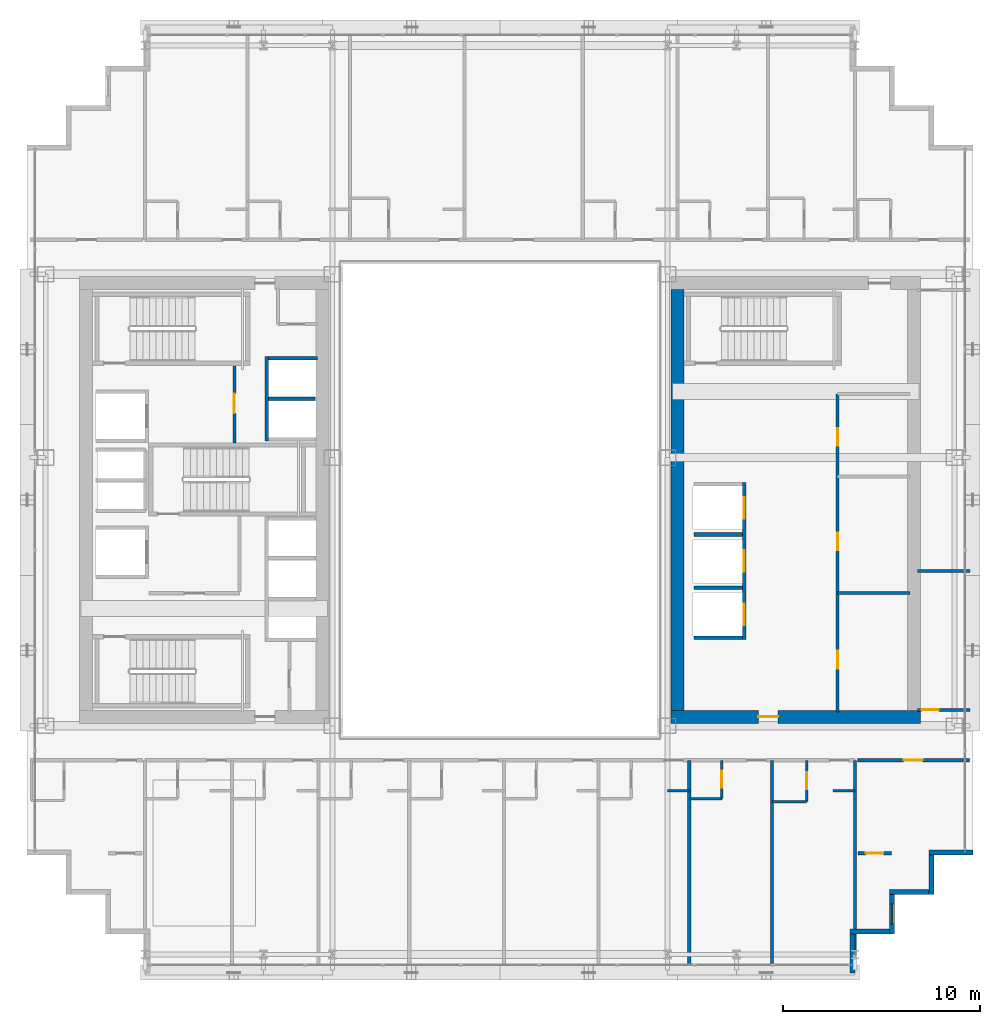
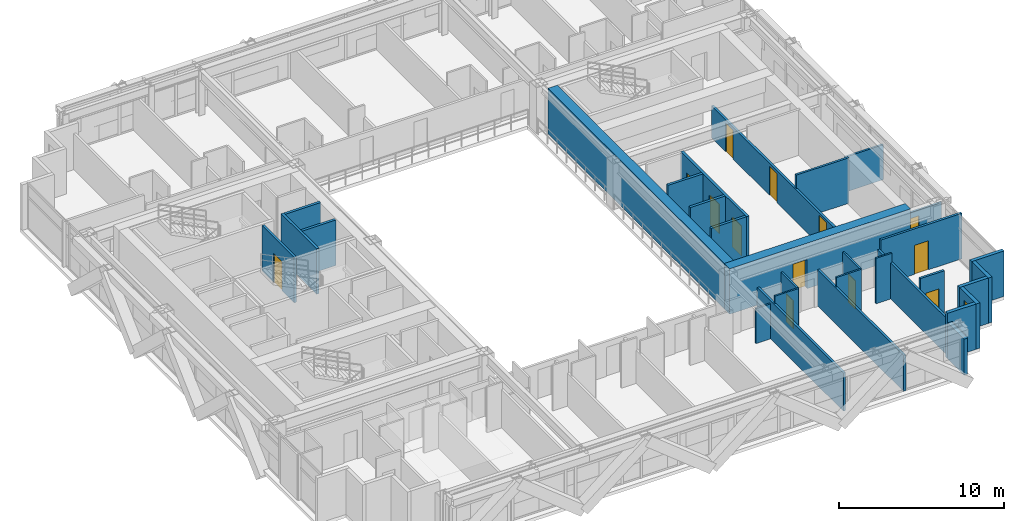
# One storey, part 29 of 36: 31 walls, 13 doors, 1 window, 14 openings.
"""IFC4 building model written with IfcOpenShell, lengths in metres."""

from ifc_helpers import new_model, si_unit, direction, frame, frame_2d, origin, place, context, subcontext, project, spatial, rectangle, extrude, source, transform, mapped, material, layer, layer_set, type_object, element, fill, save


model = new_model("IFC4")

# Units and contexts
model_context = context("Model", 3, precision=1e-05, world=origin(), true_north=direction((0.0, 1.0)))
body_context = subcontext(model_context, "Body", "Model", "MODEL_VIEW")
ifc_project = project(units=[si_unit("LENGTHUNIT", "METRE"), si_unit("AREAUNIT", "SQUARE_METRE"), si_unit("VOLUMEUNIT", "CUBIC_METRE"), si_unit("PLANEANGLEUNIT", "RADIAN"), si_unit("MASSUNIT", "GRAM", prefix="KILO")], contexts=[model_context])

# Site, building, storey
site_placement = place(None, origin())
site = spatial("IfcSite", under=ifc_project, at=site_placement, CompositionType="ELEMENT")
building_placement = place(site_placement, origin())
building = spatial("IfcBuilding", under=site, at=building_placement, Name="Ocotamira Hotel", CompositionType="ELEMENT")
storey_placement = place(building_placement, frame((0.0, 0.0, 97.199951171875)))
storey = spatial("IfcBuildingStorey", under=building, at=storey_placement, Name="L23", CompositionType="ELEMENT", Elevation=97.199951171875)

# Wall, opening, door
ifc_material_1 = material(Name="Concrete C60/75", Category="concrete")
ifc_layer_1 = layer(ifc_material_1, 0.64990234375)
ifc_layer_set_1 = layer_set([ifc_layer_1], Name="Concrete C60/75")
wall_type_1 = type_object("IfcWallType", Name="WL-CORE-650", PredefinedType="SHEAR", material=ifc_layer_set_1)
wall_1_placement = place(storey_placement, frame((40.675048828125, 15.0, 0.0), z_axis=(0.0, 0.0, 1.0), x_axis=(1.0, 0.0, 0.0)))
wall_1 = element("IfcWall", 1, at=wall_1_placement, inside=storey, type_object=wall_type_1, Name="L23 Shear Core Wall ECORE-S", PredefinedType="SHEAR", context=body_context, shape_type="SweptSolid", body=[
    extrude(rectangle(XDim=12.64990234375, YDim=0.64990234375, at=frame_2d((6.324951171875, 0.0))), origin(), (0.0, 0.0, 1.0), 3.360107421875),
])
opening_1_placement = place(wall_1_placement, frame((4.425048828125, 0.0, 0.0)))
opening_1 = element("IfcOpeningElement", 2, at=opening_1_placement, cuts=wall_1, Name="Opening D-FR2", PredefinedType="OPENING", context=body_context, shape_type="SweptSolid", body=[
    extrude(rectangle(XDim=1.0, YDim=2.14990234375, at=frame_2d((0.5, 1.074951171875))), frame((0.0, 0.3349609375, 0.0), z_axis=(0.0, -1.0, 0.0), x_axis=(1.0, 0.0, 0.0)), (0.0, 0.0, 1.0), 0.669921875),
])
ifc_material_2 = material(Name="Fire-rated acoustic timber-veneer door", Category="wood")
door_type_1 = type_object("IfcDoorType", Name="DR-FIRE-1000", OperationType="NOTDEFINED", PredefinedType="DOOR", material=ifc_material_2)
shared_shape_1 = source(origin(), body_context, "Body", "SweptSolid", [
    extrude(rectangle(XDim=1.0, YDim=2.14990234375, at=frame_2d((0.5, 1.074951171875))), frame((0.0, 0.02490234375, 0.0), z_axis=(0.0, -1.0, 0.0), x_axis=(1.0, 0.0, 0.0)), (0.0, 0.0, 1.0), 0.050048828125),
])
door_1_placement = place(opening_1_placement, origin())
door_1 = element("IfcDoor", 3, at=door_1_placement, inside=storey, type_object=door_type_1, Name="L23 Door ID-L23-ELOB-S-D [ID-L23-ELOB-S-D]", OperationType="SINGLE_SWING_RIGHT", OverallHeight=2.14990234375, OverallWidth=1.0, PredefinedType="DOOR", context=body_context, shape_type="MappedRepresentation", body=[
    mapped(shared_shape_1, transform((0.0, 0.0, 0.0), scale=1.0)),
])
fill(opening_1, door_1)

# Walls
wall_2_placement = place(storey_placement, frame((41.0, 15.324951171875, 0.0), z_axis=(0.0, 0.0, 1.0), x_axis=(0.0, 1.0, 0.0)))
element("IfcWall", 4, at=wall_2_placement, inside=storey, type_object=wall_type_1, Name="L23 Shear Core Wall ECORE-W", PredefinedType="SHEAR", context=body_context, shape_type="SweptSolid", body=[
    extrude(rectangle(XDim=21.35009765625, YDim=0.64990234375, at=frame_2d((10.675048828125, 0.0))), origin(), (0.0, 0.0, 1.0), 3.360107421875),
])
ifc_material_3 = material(Name="Precast concrete C45/55", Category="concrete")
ifc_layer_2 = layer(ifc_material_3, 0.25)
ifc_layer_set_2 = layer_set([ifc_layer_2], Name="Precast concrete C45/55")
wall_type_2 = type_object("IfcWallType", Name="WL-EXT-SER-250", PredefinedType="SOLIDWALL", material=ifc_layer_set_2)
wall_3_placement = place(storey_placement, frame((49.875, 2.0, 0.0), z_axis=(0.0, 0.0, 1.0), x_axis=(0.0, 1.0, 0.0)))
element("IfcWall", 5, at=wall_3_placement, inside=storey, type_object=wall_type_2, Name="L23 Serrated Corner Wall 01", PredefinedType="SOLIDWALL", context=body_context, shape_type="SweptSolid", body=[
    extrude(rectangle(XDim=2.0, YDim=0.25, at=frame_2d((1.0, 0.0))), origin(), (0.0, 0.0, 1.0), 2.6669921875),
])
wall_4_placement = place(storey_placement, frame((49.75, 4.125, 0.0), z_axis=(0.0, 0.0, 1.0), x_axis=(1.0, 0.0, 0.0)))
element("IfcWall", 6, at=wall_4_placement, inside=storey, type_object=wall_type_2, Name="L23 Serrated Corner Wall 02", PredefinedType="SOLIDWALL", context=body_context, shape_type="SweptSolid", body=[
    extrude(rectangle(XDim=2.0, YDim=0.25, at=frame_2d((1.0, 0.0))), origin(), (0.0, 0.0, 1.0), 3.360107421875),
])

# Wall, opening, window
wall_5_placement = place(storey_placement, frame((51.875, 4.0, 0.0), z_axis=(0.0, 0.0, 1.0), x_axis=(0.0, 1.0, 0.0)))
wall_5 = element("IfcWall", 7, at=wall_5_placement, inside=storey, type_object=wall_type_2, Name="L23 Serrated Corner Wall 03", PredefinedType="SOLIDWALL", context=body_context, shape_type="SweptSolid", body=[
    extrude(rectangle(XDim=2.0, YDim=0.25, at=frame_2d((1.0, 0.0))), origin(), (0.0, 0.0, 1.0), 3.360107421875),
])
opening_2_placement = place(wall_5_placement, frame((0.5, 0.0, 0.85009765625)))
opening_2 = element("IfcOpeningElement", 8, at=opening_2_placement, cuts=wall_5, Name="Opening WN-2", PredefinedType="OPENING", context=body_context, shape_type="SweptSolid", body=[
    extrude(rectangle(XDim=1.0, YDim=1.89990234375, at=frame_2d((0.5, 0.949951171875))), frame((0.0, 0.135009765625, 0.0), z_axis=(0.0, -1.0, 0.0), x_axis=(1.0, 0.0, 0.0)), (0.0, 0.0, 1.0), 0.27001953125),
])
ifc_material_4 = material(Name="Double-silver low-E solar glass", Category="glass")
window_type = type_object("IfcWindowType", Name="WIN-SER-1100", PartitioningType="SINGLE_PANEL", PredefinedType="WINDOW", material=ifc_material_4)
shared_shape_2 = source(origin(), body_context, "Body", "SweptSolid", [
    extrude(rectangle(XDim=1.0, YDim=1.89990234375, at=frame_2d((0.5, 0.949951171875))), frame((0.0, 0.030029296875, 0.0), z_axis=(0.0, -1.0, 0.0), x_axis=(1.0, 0.0, 0.0)), (0.0, 0.0, 1.0), 0.06005859375),
])
window_placement = place(opening_2_placement, origin())
window = element("IfcWindow", 9, at=window_placement, inside=storey, type_object=window_type, Name="L23 Serrated Corner Window 03", OverallHeight=1.89990234375, OverallWidth=1.0, PartitioningType="SINGLE_PANEL", PredefinedType="WINDOW", context=body_context, shape_type="MappedRepresentation", body=[
    mapped(shared_shape_2, transform((0.0, 0.0, 0.0), scale=1.0)),
])
fill(opening_2, window)

# Walls
for number, where, z_axis, x_axis, name in (
    (10, (51.75, 6.125, 0.0), (0.0, 0.0, 1.0), (1.0, 0.0, 0.0), "L23 Serrated Corner Wall 04"),
    (11, (53.875, 6.0, 0.0), (0.0, 0.0, 1.0), (0.0, 1.0, 0.0), "L23 Serrated Corner Wall 05"),
):
    element("IfcWall", number, at=place(storey_placement, frame(where, z_axis=z_axis, x_axis=x_axis)), inside=storey, type_object=wall_type_2, Name=name, PredefinedType="SOLIDWALL", context=body_context, shape_type="SweptSolid", body=[
        extrude(rectangle(XDim=2.0, YDim=0.25, at=frame_2d((1.0, 0.0))), origin(), (0.0, 0.0, 1.0), 3.360107421875),
    ])
wall_6_placement = place(storey_placement, frame((53.75, 8.125, 0.0), z_axis=(0.0, 0.0, 1.0), x_axis=(1.0, 0.0, 0.0)))
element("IfcWall", 12, at=wall_6_placement, inside=storey, type_object=wall_type_2, Name="L23 Serrated Corner Wall 06", PredefinedType="SOLIDWALL", context=body_context, shape_type="SweptSolid", body=[
    extrude(rectangle(XDim=2.25, YDim=0.25, at=frame_2d((1.125, 0.0))), origin(), (0.0, 0.0, 1.0), 3.360107421875),
])

# Wall, opening, door
ifc_material_5 = material(Name="Acoustic double-layer fire gypsum board partition", Category="gypsum")
ifc_layer_3 = layer(ifc_material_5, 0.159912109375)
ifc_layer_set_3 = layer_set([ifc_layer_3], Name="Acoustic double-layer fire gypsum board partition")
wall_type_3 = type_object("IfcWallType", Name="WL-FIRE-160", PredefinedType="PARTITIONING", material=ifc_layer_set_3)
wall_7_placement = place(storey_placement, frame((18.530029296875, 28.89990234375, 0.0), z_axis=(0.0, 0.0, 1.0), x_axis=(0.0, 1.0, 0.0)))
wall_7 = element("IfcWall", 13, at=wall_7_placement, inside=storey, type_object=wall_type_3, Name="L23 Interior Wall PW-L23-FSAE2-E", PredefinedType="PARTITIONING", context=body_context, shape_type="SweptSolid", body=[
    extrude(rectangle(XDim=3.900146484375, YDim=0.159912109375, at=frame_2d((1.9501953125, 0.0))), origin(), (0.0, 0.0, 1.0), 3.360107421875),
])
opening_3_placement = place(wall_7_placement, frame((1.5, 0.0, 0.0)))
opening_3 = element("IfcOpeningElement", 14, at=opening_3_placement, cuts=wall_7, Name="Opening D-FR2", PredefinedType="OPENING", context=body_context, shape_type="SweptSolid", body=[
    extrude(rectangle(XDim=1.0, YDim=2.14990234375, at=frame_2d((0.5, 1.074951171875))), frame((0.0, 0.08984375, 0.0), z_axis=(0.0, -1.0, 0.0), x_axis=(1.0, 0.0, 0.0)), (0.0, 0.0, 1.0), 0.179931640625),
])
door_2_placement = place(opening_3_placement, origin())
door_2 = element("IfcDoor", 15, at=door_2_placement, inside=storey, type_object=door_type_1, Name="L23 Door ID-L23-FSAE2-D [ID-L23-FSAE2-D]", OperationType="SINGLE_SWING_RIGHT", OverallHeight=2.14990234375, OverallWidth=1.0, PredefinedType="DOOR", context=body_context, shape_type="MappedRepresentation", body=[
    mapped(shared_shape_1, transform((0.0, 0.0, 0.0), scale=1.0)),
])
fill(opening_3, door_2)

# Wall, openings, doors
wall_8_placement = place(storey_placement, frame((49.1201171875, 15.25, 0.0), z_axis=(0.0, 0.0, 1.0), x_axis=(0.0, 1.0, 0.0)))
wall_8 = element("IfcWall", 16, at=wall_8_placement, inside=storey, type_object=wall_type_3, Name="L23 Interior Wall PW-L23-EC-FLOW-W", PredefinedType="PARTITIONING", context=body_context, shape_type="SweptSolid", body=[
    extrude(rectangle(XDim=16.1298828125, YDim=0.159912109375, at=frame_2d((8.06494140625, 0.0))), origin(), (0.0, 0.0, 1.0), 2.360107421875),
])
opening_4_placement = place(wall_8_placement, frame((2.199951171875, 0.0, 0.0)))
opening_4 = element("IfcOpeningElement", 17, at=opening_4_placement, cuts=wall_8, Name="Opening D-IN3", PredefinedType="OPENING", context=body_context, shape_type="SweptSolid", body=[
    extrude(rectangle(XDim=0.89990234375, YDim=2.14990234375, at=frame_2d((0.449951171875, 1.074951171875))), frame((0.0, 0.08984375, 0.0), z_axis=(0.0, -1.0, 0.0), x_axis=(1.0, 0.0, 0.0)), (0.0, 0.0, 1.0), 0.179931640625),
])
opening_5_placement = place(wall_8_placement, frame((8.199951171875, 0.0, 0.0)))
opening_5 = element("IfcOpeningElement", 18, at=opening_5_placement, cuts=wall_8, Name="Opening D-IN3", PredefinedType="OPENING", context=body_context, shape_type="SweptSolid", body=[
    extrude(rectangle(XDim=0.89990234375, YDim=2.14990234375, at=frame_2d((0.449951171875, 1.074951171875))), frame((0.0, 0.08984375, 0.0), z_axis=(0.0, -1.0, 0.0), x_axis=(1.0, 0.0, 0.0)), (0.0, 0.0, 1.0), 0.179931640625),
])
opening_6_placement = place(wall_8_placement, frame((13.5, 0.0, 0.0)))
opening_6 = element("IfcOpeningElement", 19, at=opening_6_placement, cuts=wall_8, Name="Opening D-IN3", PredefinedType="OPENING", context=body_context, shape_type="SweptSolid", body=[
    extrude(rectangle(XDim=0.89990234375, YDim=2.14990234375, at=frame_2d((0.449951171875, 1.074951171875))), frame((0.0, 0.08984375, 0.0), z_axis=(0.0, -1.0, 0.0), x_axis=(1.0, 0.0, 0.0)), (0.0, 0.0, 1.0), 0.179931640625),
])
ifc_material_6 = material(Name="Painted service room door", Category="steel")
door_type_2 = type_object("IfcDoorType", Name="DR-INT-900", OperationType="NOTDEFINED", PredefinedType="DOOR", material=ifc_material_6)
shared_shape_3 = source(origin(), body_context, "Body", "SweptSolid", [
    extrude(rectangle(XDim=0.89990234375, YDim=2.14990234375, at=frame_2d((0.449951171875, 1.074951171875))), frame((0.0, 0.02490234375, 0.0), z_axis=(0.0, -1.0, 0.0), x_axis=(1.0, 0.0, 0.0)), (0.0, 0.0, 1.0), 0.050048828125),
])
door_3_placement = place(opening_4_placement, origin())
door_3 = element("IfcDoor", 20, at=door_3_placement, inside=storey, type_object=door_type_2, Name="L23 Door ID-L23-EC-FLOW-D1 [ID-L23-EC-FLOW-D1]", OperationType="SINGLE_SWING_LEFT", OverallHeight=2.14990234375, OverallWidth=0.89990234375, PredefinedType="DOOR", context=body_context, shape_type="MappedRepresentation", body=[
    mapped(shared_shape_3, transform((0.0, 0.0, 0.0), scale=1.0)),
])
fill(opening_4, door_3)
door_4_placement = place(opening_5_placement, origin())
door_4 = element("IfcDoor", 21, at=door_4_placement, inside=storey, type_object=door_type_2, Name="L23 Door ID-L23-EC-FLOW-D2 [ID-L23-EC-FLOW-D2]", OperationType="SINGLE_SWING_RIGHT", OverallHeight=2.14990234375, OverallWidth=0.89990234375, PredefinedType="DOOR", context=body_context, shape_type="MappedRepresentation", body=[
    mapped(shared_shape_3, transform((0.0, 0.0, 0.0), scale=1.0)),
])
fill(opening_5, door_4)
door_5_placement = place(opening_6_placement, origin())
door_5 = element("IfcDoor", 22, at=door_5_placement, inside=storey, type_object=door_type_2, Name="L23 Door ID-L23-EC-FLOW-D3 [ID-L23-EC-FLOW-D3]", OperationType="SINGLE_SWING_LEFT", OverallHeight=2.14990234375, OverallWidth=0.89990234375, PredefinedType="DOOR", context=body_context, shape_type="MappedRepresentation", body=[
    mapped(shared_shape_3, transform((0.0, 0.0, 0.0), scale=1.0)),
])
fill(opening_6, door_5)

# Wall, opening, door
wall_9_placement = place(storey_placement, frame((50.1201171875, 12.800048828125, 0.0), z_axis=(0.0, 0.0, 1.0), x_axis=(1.0, 0.0, 0.0)))
wall_9 = element("IfcWall", 23, at=wall_9_placement, inside=storey, type_object=wall_type_3, Name="L23 Interior Wall PW-L23-Z2A-CSE-CW", PredefinedType="PARTITIONING", context=body_context, shape_type="SweptSolid", body=[
    extrude(rectangle(XDim=5.679931640625, YDim=0.159912109375, at=frame_2d((2.83984375, 0.0))), origin(), (0.0, 0.0, 1.0), 3.360107421875),
])
opening_7_placement = place(wall_9_placement, frame((2.360107421875, 0.0, 0.0)))
opening_7 = element("IfcOpeningElement", 24, at=opening_7_placement, cuts=wall_9, Name="Opening D-SV4", PredefinedType="OPENING", context=body_context, shape_type="SweptSolid", body=[
    extrude(rectangle(XDim=0.9599609375, YDim=2.14990234375, at=frame_2d((0.47998046875, 1.074951171875))), frame((0.0, 0.08984375, 0.0), z_axis=(0.0, -1.0, 0.0), x_axis=(1.0, 0.0, 0.0)), (0.0, 0.0, 1.0), 0.179931640625),
])
ifc_material_7 = material(Name="Fire-rated accessible walnut salon door", Category="wood")
door_type_3 = type_object("IfcDoorType", Name="DR-SERV-960", OperationType="NOTDEFINED", PredefinedType="DOOR", material=ifc_material_7)
shared_shape_4 = source(origin(), body_context, "Body", "SweptSolid", [
    extrude(rectangle(XDim=0.9599609375, YDim=2.14990234375, at=frame_2d((0.47998046875, 1.074951171875))), frame((0.0, 0.02490234375, 0.0), z_axis=(0.0, -1.0, 0.0), x_axis=(1.0, 0.0, 0.0)), (0.0, 0.0, 1.0), 0.050048828125),
])
door_6_placement = place(opening_7_placement, origin())
door_6 = element("IfcDoor", 25, at=door_6_placement, inside=storey, type_object=door_type_3, Name="L23 Door ID-L23-Z2A-CSE-CD [ID-L23-Z2A-CSE-CD]", OperationType="SINGLE_SWING_LEFT", OverallHeight=2.14990234375, OverallWidth=0.9599609375, PredefinedType="DOOR", context=body_context, shape_type="MappedRepresentation", body=[
    mapped(shared_shape_4, transform((0.0, 0.0, 0.0), scale=1.0)),
])
fill(opening_7, door_6)

wall_10_placement = place(storey_placement, frame((50.14990234375, 8.080078125, 0.0), z_axis=(0.0, 0.0, 1.0), x_axis=(1.0, 0.0, 0.0)))
wall_10 = element("IfcWall", 26, at=wall_10_placement, inside=storey, type_object=wall_type_3, Name="L23 Interior Wall PW-L23-Z2A-CSE2-CW", PredefinedType="PARTITIONING", context=body_context, shape_type="SweptSolid", body=[
    extrude(rectangle(XDim=1.7001953125, YDim=0.159912109375, at=frame_2d((0.85009765625, 0.0))), origin(), (0.0, 0.0, 1.0), 3.360107421875),
])
opening_8_placement = place(wall_10_placement, frame((0.409912109375, 0.0, 0.0)))
opening_8 = element("IfcOpeningElement", 27, at=opening_8_placement, cuts=wall_10, Name="Opening D-SV2", PredefinedType="OPENING", context=body_context, shape_type="SweptSolid", body=[
    extrude(rectangle(XDim=0.8798828125, YDim=2.14990234375, at=frame_2d((0.43994140625, 1.074951171875))), frame((0.0, 0.08984375, 0.0), z_axis=(0.0, -1.0, 0.0), x_axis=(1.0, 0.0, 0.0)), (0.0, 0.0, 1.0), 0.179931640625),
])
ifc_material_8 = material(Name="Fire-rated painted steel service door", Category="steel")
door_type_4 = type_object("IfcDoorType", Name="DR-SERV-880", OperationType="NOTDEFINED", PredefinedType="DOOR", material=ifc_material_8)
shared_shape_5 = source(origin(), body_context, "Body", "SweptSolid", [
    extrude(rectangle(XDim=0.8798828125, YDim=2.14990234375, at=frame_2d((0.43994140625, 1.074951171875))), frame((0.0, 0.02490234375, 0.0), z_axis=(0.0, -1.0, 0.0), x_axis=(1.0, 0.0, 0.0)), (0.0, 0.0, 1.0), 0.050048828125),
])
door_7_placement = place(opening_8_placement, origin())
door_7 = element("IfcDoor", 28, at=door_7_placement, inside=storey, type_object=door_type_4, Name="L23 Door ID-L23-Z2A-CSE2-CD [ID-L23-Z2A-CSE2-CD]", OperationType="SINGLE_SWING_LEFT", OverallHeight=2.14990234375, OverallWidth=0.8798828125, PredefinedType="DOOR", context=body_context, shape_type="MappedRepresentation", body=[
    mapped(shared_shape_5, transform((0.0, 0.0, 0.0), scale=1.0)),
])
fill(opening_8, door_7)

# Wall
ifc_material_9 = material(Name="Moisture-resistant en-suite tile and gypsum partition", Category="gypsum")
ifc_layer_4 = layer(ifc_material_9, 0.1201171875)
ifc_layer_set_4 = layer_set([ifc_layer_4], Name="Moisture-resistant en-suite tile and gypsum partition")
wall_type_4 = type_object("IfcWallType", Name="WL-PART-120", PredefinedType="PARTITIONING", material=ifc_layer_set_4)
wall_11_placement = place(storey_placement, frame((40.5, 11.25, 0.0), z_axis=(0.0, 0.0, 1.0), x_axis=(1.0, 0.0, 0.0)))
element("IfcWall", 29, at=wall_11_placement, inside=storey, type_object=wall_type_4, Name="L23 Interior Wall PW-L23-Z2AS-DRN6", PredefinedType="PARTITIONING", context=body_context, shape_type="SweptSolid", body=[
    extrude(rectangle(XDim=1.10009765625, YDim=0.1201171875, at=frame_2d((0.550048828125, 0.0))), origin(), (0.0, 0.0, 1.0), 2.5810546875),
])

# Wall, opening, door
wall_12_placement = place(storey_placement, frame((43.25, 10.85009765625, 0.0), z_axis=(0.0, 0.0, 1.0), x_axis=(0.0, 1.0, 0.0)))
wall_12 = element("IfcWall", 30, at=wall_12_placement, inside=storey, type_object=wall_type_4, Name="L23 Interior Wall PW-L23-Z2AS-BAE7", PredefinedType="PARTITIONING", context=body_context, shape_type="SweptSolid", body=[
    extrude(rectangle(XDim=1.949951171875, YDim=0.1201171875, at=frame_2d((0.97509765625, 0.0))), origin(), (0.0, 0.0, 1.0), 3.360107421875),
])
opening_9_placement = place(wall_12_placement, frame((0.544921875, 0.0, 0.0)))
opening_9 = element("IfcOpeningElement", 31, at=opening_9_placement, cuts=wall_12, Name="Opening D-BA1", PredefinedType="OPENING", context=body_context, shape_type="SweptSolid", body=[
    extrude(rectangle(XDim=0.860107421875, YDim=2.10009765625, at=frame_2d((0.43017578125, 1.050048828125))), frame((0.0, 0.070068359375, 0.0), z_axis=(0.0, -1.0, 0.0), x_axis=(1.0, 0.0, 0.0)), (0.0, 0.0, 1.0), 0.14013671875),
])
ifc_material_10 = material(Name="Moisture-sealed en-suite timber door", Category="wood")
door_type_5 = type_object("IfcDoorType", Name="DR-BATH-860", OperationType="NOTDEFINED", PredefinedType="DOOR", material=ifc_material_10)
shared_shape_6 = source(origin(), body_context, "Body", "SweptSolid", [
    extrude(rectangle(XDim=0.860107421875, YDim=2.10009765625, at=frame_2d((0.43017578125, 1.050048828125))), frame((0.0, 0.02490234375, 0.0), z_axis=(0.0, -1.0, 0.0), x_axis=(1.0, 0.0, 0.0)), (0.0, 0.0, 1.0), 0.050048828125),
])
door_8_placement = place(opening_9_placement, origin())
door_8 = element("IfcDoor", 32, at=door_8_placement, inside=storey, type_object=door_type_5, Name="L23 Door ID-L23-Z2AS-BAD7 [ID-L23-Z2AS-BAD7]", OperationType="SINGLE_SWING_RIGHT", OverallHeight=2.10009765625, OverallWidth=0.860107421875, PredefinedType="DOOR", context=body_context, shape_type="MappedRepresentation", body=[
    mapped(shared_shape_6, transform((0.0, 0.0, 0.0), scale=1.0)),
])
fill(opening_9, door_8)

# Wall
wall_13_placement = place(storey_placement, frame((41.60009765625, 10.85009765625, 0.0), z_axis=(0.0, 0.0, 1.0), x_axis=(1.0, 0.0, 0.0)))
element("IfcWall", 33, at=wall_13_placement, inside=storey, type_object=wall_type_4, Name="L23 Interior Wall PW-L23-Z2AS-BAS7", PredefinedType="PARTITIONING", context=body_context, shape_type="SweptSolid", body=[
    extrude(rectangle(XDim=1.64990234375, YDim=0.1201171875, at=frame_2d((0.824951171875, 0.0))), origin(), (0.0, 0.0, 1.0), 3.360107421875),
])

# Wall, opening, door
wall_14_placement = place(storey_placement, frame((47.550048828125, 10.699951171875, 0.0), z_axis=(0.0, 0.0, 1.0), x_axis=(0.0, 1.0, 0.0)))
wall_14 = element("IfcWall", 34, at=wall_14_placement, inside=storey, type_object=wall_type_4, Name="L23 Interior Wall PW-L23-Z2AS-BAE8", PredefinedType="PARTITIONING", context=body_context, shape_type="SweptSolid", body=[
    extrude(rectangle(XDim=2.10009765625, YDim=0.1201171875, at=frame_2d((1.050048828125, 0.0))), origin(), (0.0, 0.0, 1.0), 3.360107421875),
])
opening_10_placement = place(wall_14_placement, frame((0.6201171875, 0.0, 0.0)))
opening_10 = element("IfcOpeningElement", 35, at=opening_10_placement, cuts=wall_14, Name="Opening D-BA1", PredefinedType="OPENING", context=body_context, shape_type="SweptSolid", body=[
    extrude(rectangle(XDim=0.860107421875, YDim=2.10009765625, at=frame_2d((0.43017578125, 1.050048828125))), frame((0.0, 0.070068359375, 0.0), z_axis=(0.0, -1.0, 0.0), x_axis=(1.0, 0.0, 0.0)), (0.0, 0.0, 1.0), 0.14013671875),
])
door_9_placement = place(opening_10_placement, origin())
door_9 = element("IfcDoor", 36, at=door_9_placement, inside=storey, type_object=door_type_5, Name="L23 Door ID-L23-Z2AS-BAD8 [ID-L23-Z2AS-BAD8]", OperationType="SINGLE_SWING_LEFT", OverallHeight=2.10009765625, OverallWidth=0.860107421875, PredefinedType="DOOR", context=body_context, shape_type="MappedRepresentation", body=[
    mapped(shared_shape_6, transform((0.0, 0.0, 0.0), scale=1.0)),
])
fill(opening_10, door_9)

# Walls
wall_15_placement = place(storey_placement, frame((45.800048828125, 10.699951171875, 0.0), z_axis=(0.0, 0.0, 1.0), x_axis=(1.0, 0.0, 0.0)))
element("IfcWall", 37, at=wall_15_placement, inside=storey, type_object=wall_type_4, Name="L23 Interior Wall PW-L23-Z2AS-BAS8", PredefinedType="PARTITIONING", context=body_context, shape_type="SweptSolid", body=[
    extrude(rectangle(XDim=1.75, YDim=0.1201171875, at=frame_2d((0.875, 0.0))), origin(), (0.0, 0.0, 1.0), 3.360107421875),
])
wall_16_placement = place(storey_placement, frame((48.89990234375, 11.25, 0.0), z_axis=(0.0, 0.0, 1.0), x_axis=(1.0, 0.0, 0.0)))
element("IfcWall", 38, at=wall_16_placement, inside=storey, type_object=wall_type_4, Name="L23 Interior Wall PW-L23-Z2AS-DRN8", PredefinedType="PARTITIONING", context=body_context, shape_type="SweptSolid", body=[
    extrude(rectangle(XDim=1.10009765625, YDim=0.1201171875, at=frame_2d((0.550048828125, 0.0))), origin(), (0.0, 0.0, 1.0), 3.360107421875),
])
ifc_material_11 = material(Name="Acoustic hospitality gypsum board partition", Category="gypsum")
ifc_layer_5 = layer(ifc_material_11, 0.14208984375)
ifc_layer_set_5 = layer_set([ifc_layer_5], Name="Acoustic hospitality gypsum board partition")
wall_type_5 = type_object("IfcWallType", Name="WL-PART-142", PredefinedType="PARTITIONING", material=ifc_layer_set_5)
wall_17_placement = place(storey_placement, frame((53.179931640625, 22.39990234375, 0.0), z_axis=(0.0, 0.0, 1.0), x_axis=(1.0, 0.0, 0.0)))
element("IfcWall", 39, at=wall_17_placement, inside=storey, type_object=wall_type_5, Name="L23 Interior Wall PW-L23-Z2A-EF-DV1", PredefinedType="PARTITIONING", context=body_context, shape_type="SweptSolid", body=[
    extrude(rectangle(XDim=2.66015625, YDim=0.14208984375, at=frame_2d((1.330078125, 0.0))), origin(), (0.0, 0.0, 1.0), 2.5810546875),
])
ifc_layer_6 = layer(ifc_material_11, 0.14990234375)
ifc_layer_set_6 = layer_set([ifc_layer_6], Name="Acoustic hospitality gypsum board partition")
wall_type_6 = type_object("IfcWallType", Name="WL-PART-150", PredefinedType="PARTITIONING", material=ifc_layer_set_6)
wall_18_placement = place(storey_placement, frame((49.1201171875, 21.2900390625, 0.0), z_axis=(0.0, 0.0, 1.0), x_axis=(1.0, 0.0, 0.0)))
element("IfcWall", 40, at=wall_18_placement, inside=storey, type_object=wall_type_6, Name="L23 Interior Wall PW-L23-EC-FDIV1", PredefinedType="PARTITIONING", context=body_context, shape_type="SweptSolid", body=[
    extrude(rectangle(XDim=3.679931640625, YDim=0.14990234375, at=frame_2d((1.83984375, 0.0))), origin(), (0.0, 0.0, 1.0), 3.360107421875),
])

# Wall, opening, door
wall_19_placement = place(storey_placement, frame((53.179931640625, 15.360107421875, 0.0), z_axis=(0.0, 0.0, 1.0), x_axis=(1.0, 0.0, 0.0)))
wall_19 = element("IfcWall", 41, at=wall_19_placement, inside=storey, type_object=wall_type_6, Name="L23 Interior Wall PW-L23-Z2A-EF-WS", PredefinedType="PARTITIONING", context=body_context, shape_type="SweptSolid", body=[
    extrude(rectangle(XDim=2.66015625, YDim=0.14990234375, at=frame_2d((1.330078125, 0.0))), origin(), (0.0, 0.0, 1.0), 2.5810546875),
])
opening_11_placement = place(wall_19_placement, frame((0.199951171875, 0.0, 0.0)))
opening_11 = element("IfcOpeningElement", 42, at=opening_11_placement, cuts=wall_19, Name="Opening D-SV2", PredefinedType="OPENING", context=body_context, shape_type="SweptSolid", body=[
    extrude(rectangle(XDim=0.8798828125, YDim=2.14990234375, at=frame_2d((0.43994140625, 1.074951171875))), frame((0.0, 0.0849609375, 0.0), z_axis=(0.0, -1.0, 0.0), x_axis=(1.0, 0.0, 0.0)), (0.0, 0.0, 1.0), 0.169921875),
])
door_10_placement = place(opening_11_placement, origin())
door_10 = element("IfcDoor", 43, at=door_10_placement, inside=storey, type_object=door_type_4, Name="L23 Door ID-L23-Z2A-EF-DS [ID-L23-Z2A-EF-DS]", OperationType="SINGLE_SWING_RIGHT", OverallHeight=2.14990234375, OverallWidth=0.8798828125, PredefinedType="DOOR", context=body_context, shape_type="MappedRepresentation", body=[
    mapped(shared_shape_5, transform((0.0, 0.0, 0.0), scale=1.0)),
])
fill(opening_11, door_10)

# Walls
ifc_material_12 = material(Name="Acoustic double-stud hospitality gypsum partition", Category="gypsum")
ifc_layer_7 = layer(ifc_material_12, 0.159912109375)
ifc_layer_set_7 = layer_set([ifc_layer_7], Name="Acoustic double-stud hospitality gypsum partition")
wall_type_7 = type_object("IfcWallType", Name="WL-PART-160", PredefinedType="PARTITIONING", material=ifc_layer_set_7)
wall_20_placement = place(storey_placement, frame((50.0, 2.360107421875, 0.0), z_axis=(0.0, 0.0, 1.0), x_axis=(0.0, 1.0, 0.0)))
element("IfcWall", 44, at=wall_20_placement, inside=storey, type_object=wall_type_7, Name="L23 Interior Wall PW-L23-Z2AS-PWEND", PredefinedType="PARTITIONING", context=body_context, shape_type="SweptSolid", body=[
    extrude(rectangle(XDim=10.43994140625, YDim=0.159912109375, at=frame_2d((5.219970703125, 0.0))), origin(), (0.0, 0.0, 1.0), 2.6669921875),
])
wall_21_placement = place(storey_placement, frame((41.60009765625, 2.360107421875, 0.0), z_axis=(0.0, 0.0, 1.0), x_axis=(0.0, 1.0, 0.0)))
element("IfcWall", 45, at=wall_21_placement, inside=storey, type_object=wall_type_7, Name="L23 Interior Wall PW-L23-Z2AS-PW6", PredefinedType="PARTITIONING", context=body_context, shape_type="SweptSolid", body=[
    extrude(rectangle(XDim=10.43994140625, YDim=0.159912109375, at=frame_2d((5.219970703125, 0.0))), origin(), (0.0, 0.0, 1.0), 2.822998046875),
])
wall_22_placement = place(storey_placement, frame((45.800048828125, 2.360107421875, 0.0), z_axis=(0.0, 0.0, 1.0), x_axis=(0.0, 1.0, 0.0)))
element("IfcWall", 46, at=wall_22_placement, inside=storey, type_object=wall_type_7, Name="L23 Interior Wall PW-L23-Z2AS-PW7", PredefinedType="PARTITIONING", context=body_context, shape_type="SweptSolid", body=[
    extrude(rectangle(XDim=10.43994140625, YDim=0.159912109375, at=frame_2d((5.219970703125, 0.0))), origin(), (0.0, 0.0, 1.0), 2.6669921875),
])

# Wall, openings, doors
ifc_material_13 = material(Name="Fire-rated gypsum shaftliner board assembly", Category="gypsum")
ifc_layer_8 = layer(ifc_material_13, 0.179931640625)
ifc_layer_set_8 = layer_set([ifc_layer_8], Name="Fire-rated gypsum shaftliner board assembly")
wall_type_8 = type_object("IfcWallType", Name="WL-SHAFT-180", PredefinedType="SOLIDWALL", material=ifc_layer_set_8)
wall_23_placement = place(storey_placement, frame((44.389892578125, 18.919921875, 0.0), z_axis=(0.0, 0.0, 1.0), x_axis=(0.0, 1.0, 0.0)))
wall_23 = element("IfcWall", 47, at=wall_23_placement, inside=storey, type_object=wall_type_8, Name="L23 Interior Wall PW-L23-LFW-BANK-mid-F", PredefinedType="SOLIDWALL", context=body_context, shape_type="SweptSolid", body=[
    extrude(rectangle(XDim=7.9599609375, YDim=0.179931640625, at=frame_2d((3.97998046875, 0.0))), origin(), (0.0, 0.0, 1.0), 3.360107421875),
])
opening_12_placement = place(wall_23_placement, frame((0.72998046875, 0.0, 0.0)))
opening_12 = element("IfcOpeningElement", 48, at=opening_12_placement, cuts=wall_23, Name="Opening LD-LF-P4", PredefinedType="OPENING", context=body_context, shape_type="SweptSolid", body=[
    extrude(rectangle(XDim=1.10009765625, YDim=2.199951171875, at=frame_2d((0.550048828125, 1.10009765625))), frame((0.0, 0.10009765625, 0.0), z_axis=(0.0, -1.0, 0.0), x_axis=(1.0, 0.0, 0.0)), (0.0, 0.0, 1.0), 0.199951171875),
])
opening_13_placement = place(wall_23_placement, frame((3.429931640625, 0.0, 0.0)))
opening_13 = element("IfcOpeningElement", 49, at=opening_13_placement, cuts=wall_23, Name="Opening LD-LF-P5", PredefinedType="OPENING", context=body_context, shape_type="SweptSolid", body=[
    extrude(rectangle(XDim=1.10009765625, YDim=2.199951171875, at=frame_2d((0.550048828125, 1.10009765625))), frame((0.0, 0.10009765625, 0.0), z_axis=(0.0, -1.0, 0.0), x_axis=(1.0, 0.0, 0.0)), (0.0, 0.0, 1.0), 0.199951171875),
])
opening_14_placement = place(wall_23_placement, frame((6.1298828125, 0.0, 0.0)))
opening_14 = element("IfcOpeningElement", 50, at=opening_14_placement, cuts=wall_23, Name="Opening LD-LF-P6", PredefinedType="OPENING", context=body_context, shape_type="SweptSolid", body=[
    extrude(rectangle(XDim=1.10009765625, YDim=2.199951171875, at=frame_2d((0.550048828125, 1.10009765625))), frame((0.0, 0.10009765625, 0.0), z_axis=(0.0, -1.0, 0.0), x_axis=(1.0, 0.0, 0.0)), (0.0, 0.0, 1.0), 0.199951171875),
])
ifc_material_14 = material(Name="Brushed pale-metal stainless elevator landing door", Category="steel")
door_type_6 = type_object("IfcDoorType", Name="DR-LIFT-1100", OperationType="NOTDEFINED", PredefinedType="DOOR", material=ifc_material_14)
shared_shape_7 = source(origin(), body_context, "Body", "SweptSolid", [
    extrude(rectangle(XDim=1.10009765625, YDim=2.199951171875, at=frame_2d((0.550048828125, 1.10009765625))), frame((0.0, 0.02490234375, 0.0), z_axis=(0.0, -1.0, 0.0), x_axis=(1.0, 0.0, 0.0)), (0.0, 0.0, 1.0), 0.050048828125),
])
door_11_placement = place(opening_12_placement, origin())
door_11 = element("IfcDoor", 51, at=door_11_placement, inside=storey, type_object=door_type_6, Name="L23 Landing Door LD-LF-P4 [ID-L23-LD-LF-P4]", OperationType="DOUBLE_DOOR_SLIDING", OverallHeight=2.199951171875, OverallWidth=1.10009765625, PredefinedType="DOOR", context=body_context, shape_type="MappedRepresentation", body=[
    mapped(shared_shape_7, transform((0.0, 0.0, 0.0), scale=1.0)),
])
fill(opening_12, door_11)
door_12_placement = place(opening_13_placement, origin())
door_12 = element("IfcDoor", 52, at=door_12_placement, inside=storey, type_object=door_type_6, Name="L23 Landing Door LD-LF-P5 [ID-L23-LD-LF-P5]", OperationType="DOUBLE_DOOR_SLIDING", OverallHeight=2.199951171875, OverallWidth=1.10009765625, PredefinedType="DOOR", context=body_context, shape_type="MappedRepresentation", body=[
    mapped(shared_shape_7, transform((0.0, 0.0, 0.0), scale=1.0)),
])
fill(opening_13, door_12)
door_13_placement = place(opening_14_placement, origin())
door_13 = element("IfcDoor", 53, at=door_13_placement, inside=storey, type_object=door_type_6, Name="L23 Landing Door LD-LF-P6 [ID-L23-LD-LF-P6]", OperationType="DOUBLE_DOOR_SLIDING", OverallHeight=2.199951171875, OverallWidth=1.10009765625, PredefinedType="DOOR", context=body_context, shape_type="MappedRepresentation", body=[
    mapped(shared_shape_7, transform((0.0, 0.0, 0.0), scale=1.0)),
])
fill(opening_14, door_13)

# Walls
for number, where, z_axis, x_axis, name in (
    (54, (41.85009765625, 19.010009765625, 0.0), (0.0, 0.0, 1.0), (1.0, 0.0, 0.0), "L23 Interior Wall PW-L23-LFW-BANK-mid-S"),
    (55, (41.85009765625, 21.550048828125, 0.0), (0.0, 0.0, 1.0), (1.0, 0.0, 0.0), "L23 Interior Wall PW-L23-LFW-DIV-LF-P4"),
    (56, (41.85009765625, 24.25, 0.0), (0.0, 0.0, 1.0), (1.0, 0.0, 0.0), "L23 Interior Wall PW-L23-LFW-DIV-LF-P5"),
):
    element("IfcWall", number, at=place(storey_placement, frame(where, z_axis=z_axis, x_axis=x_axis)), inside=storey, type_object=wall_type_8, Name=name, PredefinedType="SOLIDWALL", context=body_context, shape_type="SweptSolid", body=[
        extrude(rectangle(XDim=2.449951171875, YDim=0.179931640625, at=frame_2d((1.22509765625, 0.0))), origin(), (0.0, 0.0, 1.0), 3.360107421875),
    ])
wall_24_placement = place(storey_placement, frame((20.159912109375, 29.0, 0.0), z_axis=(0.0, 0.0, 1.0), x_axis=(0.0, 1.0, 0.0)))
element("IfcWall", 57, at=wall_24_placement, inside=storey, type_object=wall_type_8, Name="L23 Interior Wall PW-L23-LFW-BANK-obs-F", PredefinedType="SOLIDWALL", context=body_context, shape_type="SweptSolid", body=[
    extrude(rectangle(XDim=4.2900390625, YDim=0.179931640625, at=frame_2d((2.14501953125, 0.0))), origin(), (0.0, 0.0, 1.0), 3.360107421875),
])
wall_25_placement = place(storey_placement, frame((20.25, 33.199951171875, 0.0), z_axis=(0.0, 0.0, 1.0), x_axis=(1.0, 0.0, 0.0)))
element("IfcWall", 58, at=wall_25_placement, inside=storey, type_object=wall_type_8, Name="L23 Interior Wall PW-L23-LFW-BANK-obs-N", PredefinedType="SOLIDWALL", context=body_context, shape_type="SweptSolid", body=[
    extrude(rectangle(XDim=2.5, YDim=0.179931640625, at=frame_2d((1.25, 0.0))), origin(), (0.0, 0.0, 1.0), 3.360107421875),
])
wall_26_placement = place(storey_placement, frame((20.25, 31.14501953125, 0.0), z_axis=(0.0, 0.0, 1.0), x_axis=(1.0, 0.0, 0.0)))
element("IfcWall", 59, at=wall_26_placement, inside=storey, type_object=wall_type_8, Name="L23 Interior Wall PW-L23-LFW-DIV-LF-OBS1", PredefinedType="SOLIDWALL", context=body_context, shape_type="SweptSolid", body=[
    extrude(rectangle(XDim=2.360107421875, YDim=0.179931640625, at=frame_2d((1.18017578125, 0.0))), origin(), (0.0, 0.0, 1.0), 3.360107421875),
])

save(model, "model.ifc")
